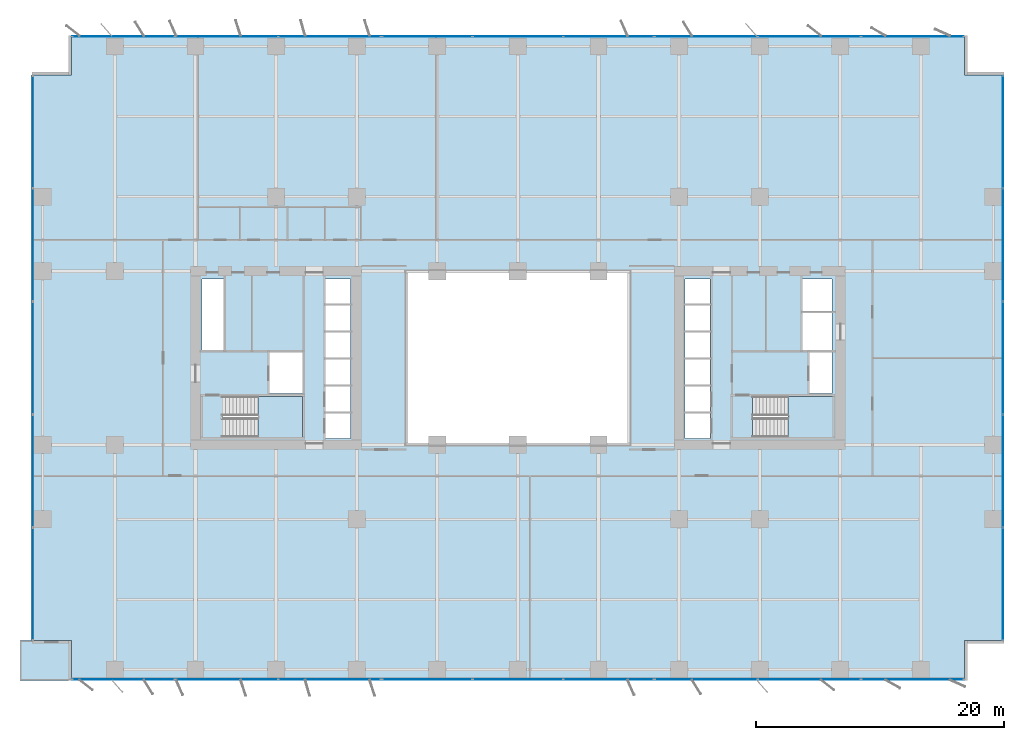
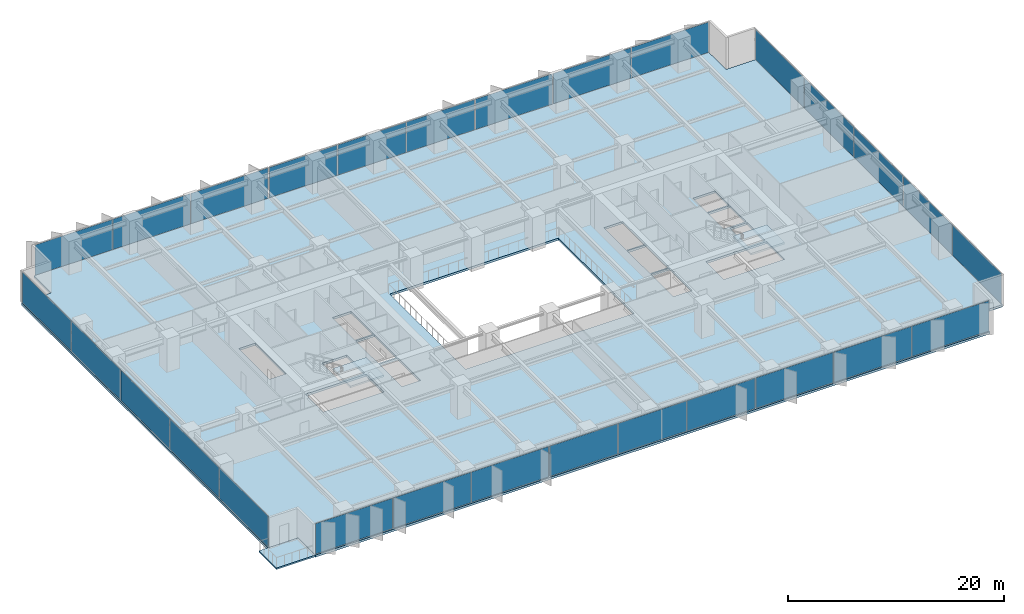
# One storey, part 12 of 20: 28 plates, 4 slabs, 10 elements without a shape of their own.
"""IFC4 building model written with IfcOpenShell, lengths in metres."""

from ifc_helpers import new_model, si_unit, direction, frame, origin, origin_2d, place, context, subcontext, project, spatial, polyline, rectangle, outline, extrude, material, layer, layer_set, type_object, element, aggregate, save


model = new_model("IFC4")

# Units and contexts
model_context = context("Model", 3, precision=1e-05, world=origin(), true_north=direction((0.0, 1.0)))
body_context = subcontext(model_context, "Body", "Model", "MODEL_VIEW")
ifc_project = project(units=[si_unit("LENGTHUNIT", "METRE"), si_unit("AREAUNIT", "SQUARE_METRE"), si_unit("VOLUMEUNIT", "CUBIC_METRE"), si_unit("PLANEANGLEUNIT", "RADIAN"), si_unit("MASSUNIT", "GRAM", prefix="KILO")], contexts=[model_context])

# Site, building, storey
site_placement = place(None, origin())
site = spatial("IfcSite", under=ifc_project, at=site_placement, CompositionType="ELEMENT")
building_placement = place(site_placement, origin())
building = spatial("IfcBuilding", under=site, at=building_placement, Name="Putna Gate Headquarters", CompositionType="ELEMENT")
storey_placement = place(building_placement, frame((0.0, 0.0, 35.39990234375)))
storey = spatial("IfcBuildingStorey", under=building, at=storey_placement, Name="L07", CompositionType="ELEMENT", Elevation=35.39990234375)

# Stair, slab
ifc_material_1 = material(Name="Concrete C40/50", Category="concrete")
stair_type_1 = type_object("IfcStairType", Name="STAIR-ST1", PredefinedType="HALF_TURN_STAIR", material=ifc_material_1)
stair_1_placement = place(storey_placement, origin())
stair_1 = element("IfcStair", 1, at=stair_1_placement, inside=storey, type_object=stair_type_1, Name="L07 West Core Exit Stair ST1", PredefinedType="HALF_TURN_STAIR")
ifc_layer_1 = layer(ifc_material_1, 0.199951171875)
ifc_layer_set_1 = layer_set([ifc_layer_1], Name="Concrete C40/50")
slab_type_1 = type_object("IfcSlabType", Name="LANDING-ST1", PredefinedType="LANDING", material=ifc_layer_set_1)
slab_1_placement = place(storey_placement, frame((0.0, 0.0, 1.7001953125)))
slab_1 = element("IfcSlab", 2, at=slab_1_placement, type_object=slab_type_1, Name="ST1 landing 1", PredefinedType="LANDING", context=body_context, shape_type="SweptSolid", body=[
    extrude(outline(polyline([(18.050048828125, 19.60009765625), (21.64990234375, 19.60009765625), (21.64990234375, 22.89990234375), (18.050048828125, 22.89990234375), (18.050048828125, 19.60009765625)])), origin(), (0.0, 0.0, 1.0), 0.199951171875),
])
aggregate(stair_1, [slab_1])

stair_type_2 = type_object("IfcStairType", Name="STAIR-ST2", PredefinedType="HALF_TURN_STAIR", material=ifc_material_1)
stair_2_placement = place(storey_placement, origin())
stair_2 = element("IfcStair", 3, at=stair_2_placement, inside=storey, type_object=stair_type_2, Name="L07 East Core Exit Stair ST2", PredefinedType="HALF_TURN_STAIR")
ifc_layer_2 = layer(ifc_material_1, 0.199951171875)
ifc_layer_set_2 = layer_set([ifc_layer_2], Name="Concrete C40/50")
slab_type_2 = type_object("IfcSlabType", Name="LANDING-ST2", PredefinedType="LANDING", material=ifc_layer_set_2)
slab_2_placement = place(storey_placement, frame((0.0, 0.0, 1.7001953125)))
slab_2 = element("IfcSlab", 4, at=slab_2_placement, type_object=slab_type_2, Name="ST2 landing 1", PredefinedType="LANDING", context=body_context, shape_type="SweptSolid", body=[
    extrude(outline(polyline([(60.800048828125, 19.60009765625), (64.39990234375, 19.60009765625), (64.39990234375, 22.89990234375), (60.800048828125, 22.89990234375), (60.800048828125, 19.60009765625)])), origin(), (0.0, 0.0, 1.0), 0.199951171875),
])
aggregate(stair_2, [slab_2])

# Curtain wall, plates
ifc_material_2 = material(Name="Anodised bronze aluminium curtain wall", Category="aluminium")
ifc_layer_3 = layer(ifc_material_2, 0.179931640625)
ifc_layer_set_3 = layer_set([ifc_layer_3], Name="Anodised bronze aluminium curtain wall")
curtain_wall_type_1 = type_object("IfcCurtainWallType", Name="CW-SYS-Z1", PredefinedType="USERDEFINED", material=ifc_layer_set_3)
curtain_wall_1_placement = place(storey_placement, origin())
curtain_wall_1 = element("IfcCurtainWall", 5, at=curtain_wall_1_placement, inside=storey, type_object=curtain_wall_type_1, Name="L07 South West Curtain Wall", ObjectType="STICK CURTAIN WALL", PredefinedType="USERDEFINED")
ifc_material_3 = material(Name="Solar-control triple low-E glass", Category="glass")
ifc_layer_4 = layer(ifc_material_3, 0.031982421875)
ifc_layer_set_4 = layer_set([ifc_layer_4], Name="Solar-control triple low-E glass")
plate_type_1 = type_object("IfcPlateType", Name="PAN-CWP-1", PredefinedType="CURTAIN_PANEL", material=ifc_layer_set_4)
plate_1_placement = place(storey_placement, frame((7.18408203125, 0.080078125, 0.065185546875), z_axis=(0.0, 0.0, 1.0), x_axis=(1.0, 0.0, 0.0)))
plate_1 = element("IfcPlate", 6, at=plate_1_placement, type_object=plate_type_1, Name="CWS-1 panel 1.1", PredefinedType="CURTAIN_PANEL", context=body_context, shape_type="SweptSolid", body=[
    extrude(rectangle(XDim=8.228271484375, YDim=0.031982421875, at=origin_2d()), origin(), (0.0, 0.0, 1.0), 3.419921875),
])
plate_2_placement = place(storey_placement, frame((15.5, 0.080078125, 0.065185546875), z_axis=(0.0, 0.0, 1.0), x_axis=(1.0, 0.0, 0.0)))
plate_2 = element("IfcPlate", 7, at=plate_2_placement, type_object=plate_type_1, Name="CWS-1 panel 2.1", PredefinedType="CURTAIN_PANEL", context=body_context, shape_type="SweptSolid", body=[
    extrude(rectangle(XDim=8.263427734375, YDim=0.031982421875, at=origin_2d()), origin(), (0.0, 0.0, 1.0), 3.419921875),
])
plate_3_placement = place(storey_placement, frame((23.81591796875, 0.080078125, 0.065185546875), z_axis=(0.0, 0.0, 1.0), x_axis=(1.0, 0.0, 0.0)))
plate_3 = element("IfcPlate", 8, at=plate_3_placement, type_object=plate_type_1, Name="CWS-1 panel 3.1", PredefinedType="CURTAIN_PANEL", context=body_context, shape_type="SweptSolid", body=[
    extrude(rectangle(XDim=8.228271484375, YDim=0.031982421875, at=origin_2d()), origin(), (0.0, 0.0, 1.0), 3.419921875),
])
aggregate(curtain_wall_1, [plate_1, plate_2, plate_3])

curtain_wall_2_placement = place(storey_placement, origin())
curtain_wall_2 = element("IfcCurtainWall", 9, at=curtain_wall_2_placement, inside=storey, type_object=curtain_wall_type_1, Name="L07 South East Curtain Wall", ObjectType="STICK CURTAIN WALL", PredefinedType="USERDEFINED")
plate_4_placement = place(storey_placement, frame((54.18408203125, 0.080078125, 0.065185546875), z_axis=(0.0, 0.0, 1.0), x_axis=(1.0, 0.0, 0.0)))
plate_4 = element("IfcPlate", 10, at=plate_4_placement, type_object=plate_type_1, Name="CWS-1 panel 1.1", PredefinedType="CURTAIN_PANEL", context=body_context, shape_type="SweptSolid", body=[
    extrude(rectangle(XDim=8.228271484375, YDim=0.031982421875, at=origin_2d()), origin(), (0.0, 0.0, 1.0), 3.419921875),
])
plate_5_placement = place(storey_placement, frame((62.5, 0.080078125, 0.065185546875), z_axis=(0.0, 0.0, 1.0), x_axis=(1.0, 0.0, 0.0)))
plate_5 = element("IfcPlate", 11, at=plate_5_placement, type_object=plate_type_1, Name="CWS-1 panel 2.1", PredefinedType="CURTAIN_PANEL", context=body_context, shape_type="SweptSolid", body=[
    extrude(rectangle(XDim=8.263427734375, YDim=0.031982421875, at=origin_2d()), origin(), (0.0, 0.0, 1.0), 3.419921875),
])
plate_6_placement = place(storey_placement, frame((70.81591796875, 0.080078125, 0.065185546875), z_axis=(0.0, 0.0, 1.0), x_axis=(1.0, 0.0, 0.0)))
plate_6 = element("IfcPlate", 12, at=plate_6_placement, type_object=plate_type_1, Name="CWS-1 panel 3.1", PredefinedType="CURTAIN_PANEL", context=body_context, shape_type="SweptSolid", body=[
    extrude(rectangle(XDim=8.228271484375, YDim=0.031982421875, at=origin_2d()), origin(), (0.0, 0.0, 1.0), 3.419921875),
])
aggregate(curtain_wall_2, [plate_4, plate_5, plate_6])

curtain_wall_3_placement = place(storey_placement, origin())
curtain_wall_3 = element("IfcCurtainWall", 13, at=curtain_wall_3_placement, inside=storey, type_object=curtain_wall_type_1, Name="L07 North West Curtain Wall", ObjectType="STICK CURTAIN WALL", PredefinedType="USERDEFINED")
plate_7_placement = place(storey_placement, frame((7.18408203125, 51.919921875, 0.065185546875), z_axis=(0.0, 0.0, 1.0), x_axis=(1.0, 0.0, 0.0)))
plate_7 = element("IfcPlate", 14, at=plate_7_placement, type_object=plate_type_1, Name="CWS-1 panel 1.1", PredefinedType="CURTAIN_PANEL", context=body_context, shape_type="SweptSolid", body=[
    extrude(rectangle(XDim=8.228271484375, YDim=0.031982421875, at=origin_2d()), origin(), (0.0, 0.0, 1.0), 3.419921875),
])
plate_8_placement = place(storey_placement, frame((15.5, 51.919921875, 0.065185546875), z_axis=(0.0, 0.0, 1.0), x_axis=(1.0, 0.0, 0.0)))
plate_8 = element("IfcPlate", 15, at=plate_8_placement, type_object=plate_type_1, Name="CWS-1 panel 2.1", PredefinedType="CURTAIN_PANEL", context=body_context, shape_type="SweptSolid", body=[
    extrude(rectangle(XDim=8.263427734375, YDim=0.031982421875, at=origin_2d()), origin(), (0.0, 0.0, 1.0), 3.419921875),
])
plate_9_placement = place(storey_placement, frame((23.81591796875, 51.919921875, 0.065185546875), z_axis=(0.0, 0.0, 1.0), x_axis=(1.0, 0.0, 0.0)))
plate_9 = element("IfcPlate", 16, at=plate_9_placement, type_object=plate_type_1, Name="CWS-1 panel 3.1", PredefinedType="CURTAIN_PANEL", context=body_context, shape_type="SweptSolid", body=[
    extrude(rectangle(XDim=8.228271484375, YDim=0.031982421875, at=origin_2d()), origin(), (0.0, 0.0, 1.0), 3.419921875),
])
aggregate(curtain_wall_3, [plate_7, plate_8, plate_9])

curtain_wall_4_placement = place(storey_placement, origin())
curtain_wall_4 = element("IfcCurtainWall", 17, at=curtain_wall_4_placement, inside=storey, type_object=curtain_wall_type_1, Name="L07 North East Curtain Wall", ObjectType="STICK CURTAIN WALL", PredefinedType="USERDEFINED")
plate_10_placement = place(storey_placement, frame((54.18408203125, 51.919921875, 0.065185546875), z_axis=(0.0, 0.0, 1.0), x_axis=(1.0, 0.0, 0.0)))
plate_10 = element("IfcPlate", 18, at=plate_10_placement, type_object=plate_type_1, Name="CWS-1 panel 1.1", PredefinedType="CURTAIN_PANEL", context=body_context, shape_type="SweptSolid", body=[
    extrude(rectangle(XDim=8.228271484375, YDim=0.031982421875, at=origin_2d()), origin(), (0.0, 0.0, 1.0), 3.419921875),
])
plate_11_placement = place(storey_placement, frame((62.5, 51.919921875, 0.065185546875), z_axis=(0.0, 0.0, 1.0), x_axis=(1.0, 0.0, 0.0)))
plate_11 = element("IfcPlate", 19, at=plate_11_placement, type_object=plate_type_1, Name="CWS-1 panel 2.1", PredefinedType="CURTAIN_PANEL", context=body_context, shape_type="SweptSolid", body=[
    extrude(rectangle(XDim=8.263427734375, YDim=0.031982421875, at=origin_2d()), origin(), (0.0, 0.0, 1.0), 3.419921875),
])
plate_12_placement = place(storey_placement, frame((70.81591796875, 51.919921875, 0.065185546875), z_axis=(0.0, 0.0, 1.0), x_axis=(1.0, 0.0, 0.0)))
plate_12 = element("IfcPlate", 20, at=plate_12_placement, type_object=plate_type_1, Name="CWS-1 panel 3.1", PredefinedType="CURTAIN_PANEL", context=body_context, shape_type="SweptSolid", body=[
    extrude(rectangle(XDim=8.228271484375, YDim=0.031982421875, at=origin_2d()), origin(), (0.0, 0.0, 1.0), 3.419921875),
])
aggregate(curtain_wall_4, [plate_10, plate_11, plate_12])

curtain_wall_5_placement = place(storey_placement, origin())
curtain_wall_5 = element("IfcCurtainWall", 21, at=curtain_wall_5_placement, inside=storey, type_object=curtain_wall_type_1, Name="L07 West Curtain Wall", ObjectType="STICK CURTAIN WALL", PredefinedType="USERDEFINED")
plate_13_placement = place(storey_placement, frame((-0.1201171875, 7.777587890625, 0.065185546875), z_axis=(0.0, 0.0, 1.0), x_axis=(0.0, 1.0, 0.0)))
plate_13 = element("IfcPlate", 22, at=plate_13_placement, type_object=plate_type_1, Name="CWS-1 panel 1.1", PredefinedType="CURTAIN_PANEL", context=body_context, shape_type="SweptSolid", body=[
    extrude(rectangle(XDim=9.014892578125, YDim=0.031982421875, at=origin_2d()), origin(), (0.0, 0.0, 1.0), 3.419921875),
])
plate_14_placement = place(storey_placement, frame((-0.1201171875, 16.8798828125, 0.065185546875), z_axis=(0.0, 0.0, 1.0), x_axis=(0.0, 1.0, 0.0)))
plate_14 = element("IfcPlate", 23, at=plate_14_placement, type_object=plate_type_1, Name="CWS-1 panel 2.1", PredefinedType="CURTAIN_PANEL", context=body_context, shape_type="SweptSolid", body=[
    extrude(rectangle(XDim=9.050048828125, YDim=0.031982421875, at=origin_2d()), origin(), (0.0, 0.0, 1.0), 3.419921875),
])
plate_15_placement = place(storey_placement, frame((-0.1201171875, 26.0, 0.065185546875), z_axis=(0.0, 0.0, 1.0), x_axis=(0.0, 1.0, 0.0)))
plate_15 = element("IfcPlate", 24, at=plate_15_placement, type_object=plate_type_1, Name="CWS-1 panel 3.1", PredefinedType="CURTAIN_PANEL", context=body_context, shape_type="SweptSolid", body=[
    extrude(rectangle(XDim=9.050048828125, YDim=0.031982421875, at=origin_2d()), origin(), (0.0, 0.0, 1.0), 3.419921875),
])
plate_16_placement = place(storey_placement, frame((-0.1201171875, 35.1201171875, 0.065185546875), z_axis=(0.0, 0.0, 1.0), x_axis=(0.0, 1.0, 0.0)))
plate_16 = element("IfcPlate", 25, at=plate_16_placement, type_object=plate_type_1, Name="CWS-1 panel 4.1", PredefinedType="CURTAIN_PANEL", context=body_context, shape_type="SweptSolid", body=[
    extrude(rectangle(XDim=9.050048828125, YDim=0.031982421875, at=origin_2d()), origin(), (0.0, 0.0, 1.0), 3.419921875),
])
plate_17_placement = place(storey_placement, frame((-0.1201171875, 44.222412109375, 0.065185546875), z_axis=(0.0, 0.0, 1.0), x_axis=(0.0, 1.0, 0.0)))
plate_17 = element("IfcPlate", 26, at=plate_17_placement, type_object=plate_type_1, Name="CWS-1 panel 5.1", PredefinedType="CURTAIN_PANEL", context=body_context, shape_type="SweptSolid", body=[
    extrude(rectangle(XDim=9.014892578125, YDim=0.031982421875, at=origin_2d()), origin(), (0.0, 0.0, 1.0), 3.419921875),
])
aggregate(curtain_wall_5, [plate_13, plate_14, plate_15, plate_16, plate_17])

curtain_wall_6_placement = place(storey_placement, origin())
curtain_wall_6 = element("IfcCurtainWall", 27, at=curtain_wall_6_placement, inside=storey, type_object=curtain_wall_type_1, Name="L07 East Curtain Wall", ObjectType="STICK CURTAIN WALL", PredefinedType="USERDEFINED")
plate_18_placement = place(storey_placement, frame((78.1201171875, 7.777587890625, 0.065185546875), z_axis=(0.0, 0.0, 1.0), x_axis=(0.0, 1.0, 0.0)))
plate_18 = element("IfcPlate", 28, at=plate_18_placement, type_object=plate_type_1, Name="CWS-1 panel 1.1", PredefinedType="CURTAIN_PANEL", context=body_context, shape_type="SweptSolid", body=[
    extrude(rectangle(XDim=9.014892578125, YDim=0.031982421875, at=origin_2d()), origin(), (0.0, 0.0, 1.0), 3.419921875),
])
plate_19_placement = place(storey_placement, frame((78.1201171875, 16.8798828125, 0.065185546875), z_axis=(0.0, 0.0, 1.0), x_axis=(0.0, 1.0, 0.0)))
plate_19 = element("IfcPlate", 29, at=plate_19_placement, type_object=plate_type_1, Name="CWS-1 panel 2.1", PredefinedType="CURTAIN_PANEL", context=body_context, shape_type="SweptSolid", body=[
    extrude(rectangle(XDim=9.050048828125, YDim=0.031982421875, at=origin_2d()), origin(), (0.0, 0.0, 1.0), 3.419921875),
])
plate_20_placement = place(storey_placement, frame((78.1201171875, 26.0, 0.065185546875), z_axis=(0.0, 0.0, 1.0), x_axis=(0.0, 1.0, 0.0)))
plate_20 = element("IfcPlate", 30, at=plate_20_placement, type_object=plate_type_1, Name="CWS-1 panel 3.1", PredefinedType="CURTAIN_PANEL", context=body_context, shape_type="SweptSolid", body=[
    extrude(rectangle(XDim=9.050048828125, YDim=0.031982421875, at=origin_2d()), origin(), (0.0, 0.0, 1.0), 3.419921875),
])
plate_21_placement = place(storey_placement, frame((78.1201171875, 35.1201171875, 0.065185546875), z_axis=(0.0, 0.0, 1.0), x_axis=(0.0, 1.0, 0.0)))
plate_21 = element("IfcPlate", 31, at=plate_21_placement, type_object=plate_type_1, Name="CWS-1 panel 4.1", PredefinedType="CURTAIN_PANEL", context=body_context, shape_type="SweptSolid", body=[
    extrude(rectangle(XDim=9.050048828125, YDim=0.031982421875, at=origin_2d()), origin(), (0.0, 0.0, 1.0), 3.419921875),
])
plate_22_placement = place(storey_placement, frame((78.1201171875, 44.222412109375, 0.065185546875), z_axis=(0.0, 0.0, 1.0), x_axis=(0.0, 1.0, 0.0)))
plate_22 = element("IfcPlate", 32, at=plate_22_placement, type_object=plate_type_1, Name="CWS-1 panel 5.1", PredefinedType="CURTAIN_PANEL", context=body_context, shape_type="SweptSolid", body=[
    extrude(rectangle(XDim=9.014892578125, YDim=0.031982421875, at=origin_2d()), origin(), (0.0, 0.0, 1.0), 3.419921875),
])
aggregate(curtain_wall_6, [plate_18, plate_19, plate_20, plate_21, plate_22])

ifc_layer_5 = layer(ifc_material_2, 0.179931640625)
ifc_layer_set_5 = layer_set([ifc_layer_5], Name="Anodised bronze aluminium curtain wall")
curtain_wall_type_2 = type_object("IfcCurtainWallType", Name="CW-SYS-ATR", PredefinedType="USERDEFINED", material=ifc_layer_set_5)
curtain_wall_7_placement = place(storey_placement, origin())
curtain_wall_7 = element("IfcCurtainWall", 33, at=curtain_wall_7_placement, inside=storey, type_object=curtain_wall_type_2, Name="L07 South Atrium Clear Glazing", ObjectType="ATRIUM GLAZING", PredefinedType="USERDEFINED")
ifc_material_4 = material(Name="Clear low-iron triple glazing", Category="glass")
ifc_layer_6 = layer(ifc_material_4, 0.0400390625)
ifc_layer_set_6 = layer_set([ifc_layer_6], Name="Clear low-iron triple glazing")
plate_type_2 = type_object("IfcPlateType", Name="PAN-CWP-AT", PredefinedType="CURTAIN_PANEL", material=ifc_layer_set_6)
plate_23_placement = place(storey_placement, frame((31.68408203125, 0.080078125, 0.0703125), z_axis=(0.0, 0.0, 1.0), x_axis=(1.0, 0.0, 0.0)))
plate_23 = element("IfcPlate", 34, at=plate_23_placement, type_object=plate_type_2, Name="CWS-AT panel 1.1", PredefinedType="CURTAIN_PANEL", context=body_context, shape_type="SweptSolid", body=[
    extrude(rectangle(XDim=7.228271484375, YDim=0.0400390625, at=origin_2d()), origin(), (0.0, 0.0, 1.0), 3.409912109375),
])
plate_24_placement = place(storey_placement, frame((39.0, 0.080078125, 0.0703125), z_axis=(0.0, 0.0, 1.0), x_axis=(1.0, 0.0, 0.0)))
plate_24 = element("IfcPlate", 35, at=plate_24_placement, type_object=plate_type_2, Name="CWS-AT panel 2.1", PredefinedType="CURTAIN_PANEL", context=body_context, shape_type="SweptSolid", body=[
    extrude(rectangle(XDim=7.263427734375, YDim=0.0400390625, at=origin_2d()), origin(), (0.0, 0.0, 1.0), 3.409912109375),
])
plate_25_placement = place(storey_placement, frame((46.31591796875, 0.080078125, 0.0703125), z_axis=(0.0, 0.0, 1.0), x_axis=(1.0, 0.0, 0.0)))
plate_25 = element("IfcPlate", 36, at=plate_25_placement, type_object=plate_type_2, Name="CWS-AT panel 3.1", PredefinedType="CURTAIN_PANEL", context=body_context, shape_type="SweptSolid", body=[
    extrude(rectangle(XDim=7.228271484375, YDim=0.0400390625, at=origin_2d()), origin(), (0.0, 0.0, 1.0), 3.409912109375),
])
aggregate(curtain_wall_7, [plate_23, plate_24, plate_25])

curtain_wall_8_placement = place(storey_placement, origin())
curtain_wall_8 = element("IfcCurtainWall", 37, at=curtain_wall_8_placement, inside=storey, type_object=curtain_wall_type_2, Name="L07 North Atrium Clear Glazing", ObjectType="ATRIUM GLAZING", PredefinedType="USERDEFINED")
plate_26_placement = place(storey_placement, frame((31.68408203125, 51.919921875, 0.0703125), z_axis=(0.0, 0.0, 1.0), x_axis=(1.0, 0.0, 0.0)))
plate_26 = element("IfcPlate", 38, at=plate_26_placement, type_object=plate_type_2, Name="CWS-AT panel 1.1", PredefinedType="CURTAIN_PANEL", context=body_context, shape_type="SweptSolid", body=[
    extrude(rectangle(XDim=7.228271484375, YDim=0.0400390625, at=origin_2d()), origin(), (0.0, 0.0, 1.0), 3.409912109375),
])
plate_27_placement = place(storey_placement, frame((39.0, 51.919921875, 0.0703125), z_axis=(0.0, 0.0, 1.0), x_axis=(1.0, 0.0, 0.0)))
plate_27 = element("IfcPlate", 39, at=plate_27_placement, type_object=plate_type_2, Name="CWS-AT panel 2.1", PredefinedType="CURTAIN_PANEL", context=body_context, shape_type="SweptSolid", body=[
    extrude(rectangle(XDim=7.263427734375, YDim=0.0400390625, at=origin_2d()), origin(), (0.0, 0.0, 1.0), 3.409912109375),
])
plate_28_placement = place(storey_placement, frame((46.31591796875, 51.919921875, 0.0703125), z_axis=(0.0, 0.0, 1.0), x_axis=(1.0, 0.0, 0.0)))
plate_28 = element("IfcPlate", 40, at=plate_28_placement, type_object=plate_type_2, Name="CWS-AT panel 3.1", PredefinedType="CURTAIN_PANEL", context=body_context, shape_type="SweptSolid", body=[
    extrude(rectangle(XDim=7.228271484375, YDim=0.0400390625, at=origin_2d()), origin(), (0.0, 0.0, 1.0), 3.409912109375),
])
aggregate(curtain_wall_8, [plate_26, plate_27, plate_28])

# Slabs
ifc_layer_7 = layer(ifc_material_1, 0.179931640625)
ifc_layer_set_7 = layer_set([ifc_layer_7], Name="Concrete C40/50")
slab_type_3 = type_object("IfcSlabType", Name="SLAB-TERRACE-180", PredefinedType="FLOOR", material=ifc_layer_set_7)
slab_3_placement = place(storey_placement, frame((0.0, 0.0, -0.179931640625)))
element("IfcSlab", 41, at=slab_3_placement, inside=storey, type_object=slab_type_3, Name="L07 Spiral Sky-Garden Terrace Slab (SW)", PredefinedType="FLOOR", context=body_context, shape_type="SweptSolid", body=[
    extrude(outline(polyline([(-1.14990234375, 0.0), (3.008056640625, 0.0), (3.008056640625, 3.2080078125), (-1.14990234375, 3.2080078125), (-1.14990234375, 0.0)])), origin(), (0.0, 0.0, 1.0), 0.179931640625),
])
ifc_layer_8 = layer(ifc_material_1, 0.25)
ifc_layer_set_8 = layer_set([ifc_layer_8], Name="Concrete C40/50")
slab_type_4 = type_object("IfcSlabType", Name="SLAB-Z1-250", PredefinedType="FLOOR", material=ifc_layer_set_8)
slab_4_placement = place(storey_placement, frame((0.0, 0.0, -0.25)))
element("IfcSlab", 42, at=slab_4_placement, inside=storey, type_object=slab_type_4, Name="L07 Composite Floor Slab", PredefinedType="FLOOR", context=body_context, shape_type="SweptSolid", body=[
    extrude(outline(polyline([(3.0, 0.0), (75.0, 0.0), (75.0, 3.199951171875), (78.199951171875, 3.199951171875), (78.199951171875, 48.800048828125), (75.0, 48.800048828125), (75.0, 52.0), (3.0, 52.0), (3.0, 48.800048828125), (-0.199951171875, 48.800048828125), (-0.199951171875, 3.199951171875), (3.0, 3.199951171875), (3.0, 0.0)]), holes=[polyline([(15.1650390625, 19.60009765625), (21.64990234375, 19.60009765625), (21.64990234375, 22.89990234375), (15.1650390625, 22.89990234375), (15.1650390625, 19.60009765625)]), polyline([(57.9150390625, 19.60009765625), (64.39990234375, 19.60009765625), (64.39990234375, 22.89990234375), (57.9150390625, 22.89990234375), (57.9150390625, 19.60009765625)]), polyline([(13.52001953125, 26.659912109375), (15.280029296875, 26.659912109375), (15.280029296875, 32.35009765625), (13.52001953125, 32.35009765625), (13.52001953125, 26.659912109375)]), polyline([(61.969970703125, 29.780029296875), (64.35009765625, 29.780029296875), (64.35009765625, 32.35009765625), (61.969970703125, 32.35009765625), (61.969970703125, 29.780029296875)]), polyline([(18.97998046875, 23.1201171875), (21.6201171875, 23.1201171875), (21.6201171875, 26.4599609375), (18.97998046875, 26.4599609375), (18.97998046875, 23.1201171875)]), polyline([(62.52001953125, 23.1201171875), (64.35009765625, 23.1201171875), (64.35009765625, 26.4599609375), (62.52001953125, 26.4599609375), (62.52001953125, 23.1201171875)]), polyline([(61.969970703125, 26.659912109375), (64.35009765625, 26.659912109375), (64.35009765625, 29.6201171875), (61.969970703125, 29.6201171875), (61.969970703125, 26.659912109375)]), polyline([(23.5, 19.52001953125), (25.5, 19.52001953125), (25.5, 23.699951171875), (23.5, 23.699951171875), (23.5, 19.52001953125)]), polyline([(52.47998046875, 19.52001953125), (54.5, 19.52001953125), (54.5, 23.699951171875), (52.47998046875, 23.699951171875), (52.47998046875, 19.52001953125)]), polyline([(23.5, 23.860107421875), (25.5, 23.860107421875), (25.5, 28.0400390625), (23.5, 28.0400390625), (23.5, 23.860107421875)]), polyline([(52.47998046875, 23.860107421875), (54.5, 23.860107421875), (54.5, 28.0400390625), (52.47998046875, 28.0400390625), (52.47998046875, 23.860107421875)]), polyline([(23.5, 28.199951171875), (25.5, 28.199951171875), (25.5, 32.35009765625), (23.5, 32.35009765625), (23.5, 28.199951171875)]), polyline([(52.47998046875, 28.199951171875), (54.5, 28.199951171875), (54.5, 32.35009765625), (52.47998046875, 32.35009765625), (52.47998046875, 28.199951171875)]), polyline([(30.0, 19.0), (48.0, 19.0), (48.0, 33.0), (30.0, 33.0), (30.0, 19.0)])]), origin(), (0.0, 0.0, 1.0), 0.25),
])

save(model, "model.ifc")
